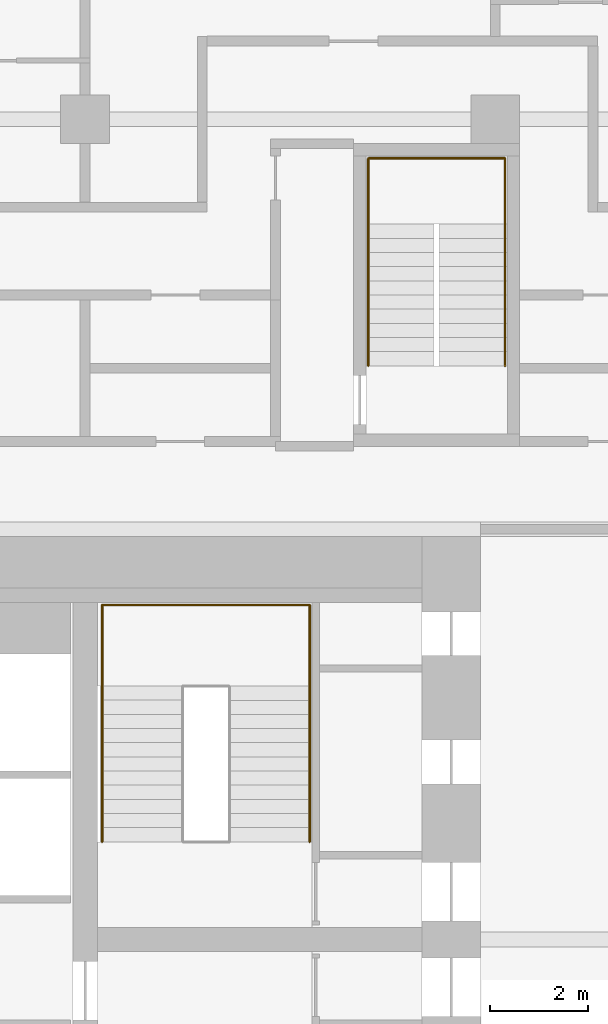
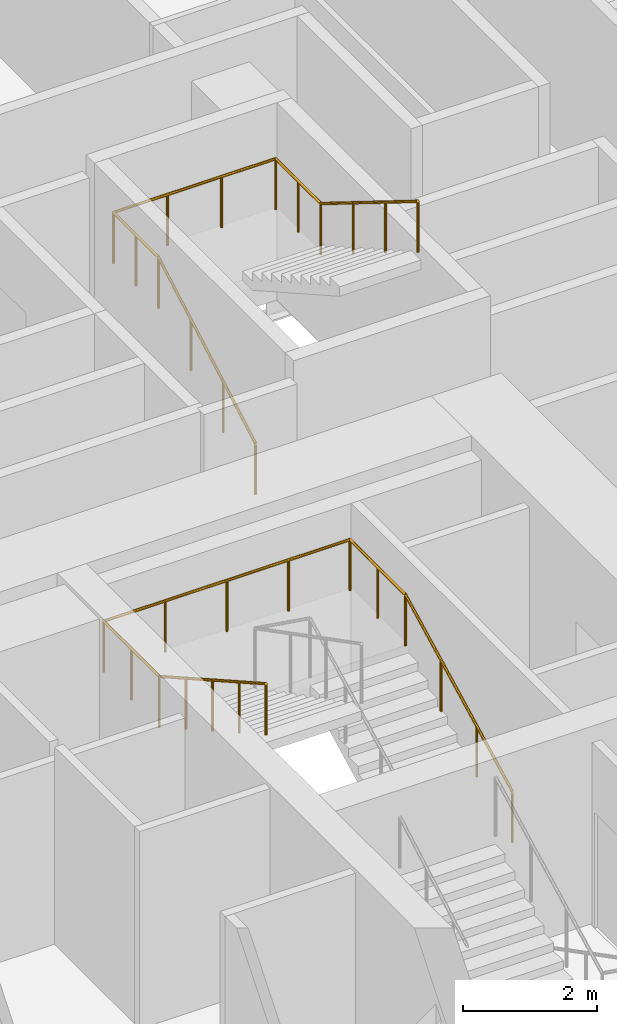
# One storey, part 34 of 34: 2 railings.
"""IFC4 building model written with IfcOpenShell, lengths in metres."""

from ifc_helpers import new_model, si_unit, direction, frame, origin, origin_2d, place, context, subcontext, project, spatial, circle, extrude, material, type_object, element, save


model = new_model("IFC4")

# Units and contexts
model_context = context("Model", 3, precision=1e-05, world=origin(), true_north=direction((0.0, 1.0)))
body_context = subcontext(model_context, "Body", "Model", "MODEL_VIEW")
ifc_project = project(units=[si_unit("LENGTHUNIT", "METRE"), si_unit("AREAUNIT", "SQUARE_METRE"), si_unit("VOLUMEUNIT", "CUBIC_METRE"), si_unit("PLANEANGLEUNIT", "RADIAN"), si_unit("MASSUNIT", "GRAM", prefix="KILO")], contexts=[model_context])

# Site, building, storey
site_placement = place(None, origin())
site = spatial("IfcSite", under=ifc_project, at=site_placement, CompositionType="ELEMENT")
building_placement = place(site_placement, origin())
building = spatial("IfcBuilding", under=site, at=building_placement, Name="Marenta Gate Hotel Tower", CompositionType="ELEMENT")
storey_placement = place(building_placement, frame((0.0, 0.0, 76.10009765625)))
storey = spatial("IfcBuildingStorey", under=building, at=storey_placement, Name="L17", CompositionType="ELEMENT", Elevation=76.10009765625)

# Railings
ifc_material = material(Name="Stainless steel", Category="steel")
railing_type = type_object("IfcRailingType", Name="Core stair handrail 950", PredefinedType="HANDRAIL", material=ifc_material)
railing_1_placement = place(storey_placement, frame((8.800048828125, 10.39990234375, 0.14990234375)))
element("IfcRailing", 1, at=railing_1_placement, inside=storey, type_object=railing_type, Name="HR-950 L17-KR-ST4-1", PredefinedType="HANDRAIL", context=body_context, shape_type="SweptSolid", body=[
    extrude(circle(Radius=0.02392578125, at=origin_2d()), frame((0.0, 0.0, 0.92578125), z_axis=(0.0, 0.888239641807, 0.459380385653), x_axis=(-1.0, 0.0, 0.0)), (0.0, 0.0, 1.0), 3.591552734375),
    extrude(circle(Radius=0.02392578125, at=origin_2d()), frame((0.0, 3.190185546875, 2.57568359375), z_axis=(0.0, 1.0, 0.0), x_axis=(-1.0, 0.0, 0.0)), (0.0, 0.0, 1.0), 1.659912109375),
    extrude(circle(Radius=0.02392578125, at=origin_2d()), frame((0.0, 4.85009765625, 2.57568359375), z_axis=(-1.0, 0.0, 0.0), x_axis=(0.0, -1.0, 0.0)), (0.0, 0.0, 1.0), 4.25),
    extrude(circle(Radius=0.02392578125, at=origin_2d()), frame((-4.25, 4.85009765625, 2.57568359375), z_axis=(0.0, -1.0, 0.0), x_axis=(1.0, 0.0, 0.0)), (0.0, 0.0, 1.0), 1.659912109375),
    extrude(circle(Radius=0.02392578125, at=origin_2d()), frame((-4.25, 3.190185546875, 2.57568359375), z_axis=(0.0, -0.870925075533, 0.491415824742), x_axis=(1.0, 0.0, 0.0)), (0.0, 0.0, 1.0), 3.6630859375),
    extrude(circle(Radius=0.02099609375, at=origin_2d()), origin(), (0.0, 0.0, 1.0), 0.90185546875),
    extrude(circle(Radius=0.02099609375, at=origin_2d()), frame((0.0, 1.0634765625, 0.550048828125)), (0.0, 0.0, 1.0), 0.90185546875),
    extrude(circle(Radius=0.02099609375, at=origin_2d()), frame((0.0, 2.126708984375, 1.099853515625)), (0.0, 0.0, 1.0), 0.90185546875),
    extrude(circle(Radius=0.02099609375, at=origin_2d()), frame((0.0, 3.190185546875, 1.64990234375)), (0.0, 0.0, 1.0), 0.90185546875),
    extrude(circle(Radius=0.02099609375, at=origin_2d()), frame((0.0, 4.02001953125, 1.64990234375)), (0.0, 0.0, 1.0), 0.90185546875),
    extrude(circle(Radius=0.02099609375, at=origin_2d()), frame((0.0, 4.85009765625, 1.64990234375)), (0.0, 0.0, 1.0), 0.90185546875),
    extrude(circle(Radius=0.02099609375, at=origin_2d()), frame((-1.0625, 4.85009765625, 1.64990234375)), (0.0, 0.0, 1.0), 0.90185546875),
    extrude(circle(Radius=0.02099609375, at=origin_2d()), frame((-2.125, 4.85009765625, 1.64990234375)), (0.0, 0.0, 1.0), 0.90185546875),
    extrude(circle(Radius=0.02099609375, at=origin_2d()), frame((-3.1875, 4.85009765625, 1.64990234375)), (0.0, 0.0, 1.0), 0.90185546875),
    extrude(circle(Radius=0.02099609375, at=origin_2d()), frame((-4.25, 4.85009765625, 1.64990234375)), (0.0, 0.0, 1.0), 0.90185546875),
    extrude(circle(Radius=0.02099609375, at=origin_2d()), frame((-4.25, 4.02001953125, 1.64990234375)), (0.0, 0.0, 1.0), 0.90185546875),
    extrude(circle(Radius=0.02099609375, at=origin_2d()), frame((-4.25, 3.190185546875, 1.64990234375)), (0.0, 0.0, 1.0), 0.90185546875),
    extrude(circle(Radius=0.02099609375, at=origin_2d()), frame((-4.25, 2.392578125, 2.099853515625)), (0.0, 0.0, 1.0), 0.90185546875),
    extrude(circle(Radius=0.02099609375, at=origin_2d()), frame((-4.25, 1.59521484375, 2.5498046875)), (0.0, 0.0, 1.0), 0.90185546875),
    extrude(circle(Radius=0.02099609375, at=origin_2d()), frame((-4.25, 0.797607421875, 3.0)), (0.0, 0.0, 1.0), 0.90185546875),
    extrude(circle(Radius=0.02099609375, at=origin_2d()), frame((-4.25, 0.0, 3.449951171875)), (0.0, 0.0, 1.0), 0.90185546875),
])
railing_2_placement = place(storey_placement, frame((10.0, 20.14990234375, 0.16357421875)))
element("IfcRailing", 2, at=railing_2_placement, inside=storey, type_object=railing_type, Name="HR-950 L17-RS-Z1-4-KR-1", PredefinedType="HANDRAIL", context=body_context, shape_type="SweptSolid", body=[
    extrude(circle(Radius=0.02392578125, at=origin_2d()), frame((0.0, 0.0, 0.92578125), z_axis=(0.0, 0.870946286338, 0.49137823142), x_axis=(-1.0, 0.0, 0.0)), (0.0, 0.0, 1.0), 3.329833984375),
    extrude(circle(Radius=0.02392578125, at=origin_2d()), frame((0.0, 2.900146484375, 2.56201171875), z_axis=(0.0, 1.0, 0.0), x_axis=(-1.0, 0.0, 0.0)), (0.0, 0.0, 1.0), 1.349853515625),
    extrude(circle(Radius=0.02392578125, at=origin_2d()), frame((0.0, 4.25, 2.56201171875), z_axis=(1.0, 0.0, 0.0), x_axis=(0.0, 1.0, 0.0)), (0.0, 0.0, 1.0), 2.800048828125),
    extrude(circle(Radius=0.02392578125, at=origin_2d()), frame((2.800048828125, 4.25, 2.56201171875), z_axis=(0.0, -1.0, 0.0), x_axis=(1.0, 0.0, 0.0)), (0.0, 0.0, 1.0), 1.349853515625),
    extrude(circle(Radius=0.02392578125, at=origin_2d()), frame((2.800048828125, 2.900146484375, 2.56201171875), z_axis=(0.0, -0.849645691689, 0.527353959494), x_axis=(1.0, 0.0, 0.0)), (0.0, 0.0, 1.0), 3.413330078125),
    extrude(circle(Radius=0.02099609375, at=origin_2d()), origin(), (0.0, 0.0, 1.0), 0.90185546875),
    extrude(circle(Radius=0.02099609375, at=origin_2d()), frame((0.0, 0.966796875, 0.54541015625)), (0.0, 0.0, 1.0), 0.90185546875),
    extrude(circle(Radius=0.02099609375, at=origin_2d()), frame((0.0, 1.933349609375, 1.0908203125)), (0.0, 0.0, 1.0), 0.90185546875),
    extrude(circle(Radius=0.02099609375, at=origin_2d()), frame((0.0, 2.900146484375, 1.63623046875)), (0.0, 0.0, 1.0), 0.90185546875),
    extrude(circle(Radius=0.02099609375, at=origin_2d()), frame((0.0, 3.5751953125, 1.63623046875)), (0.0, 0.0, 1.0), 0.90185546875),
    extrude(circle(Radius=0.02099609375, at=origin_2d()), frame((0.0, 4.25, 1.63623046875)), (0.0, 0.0, 1.0), 0.90185546875),
    extrude(circle(Radius=0.02099609375, at=origin_2d()), frame((0.933349609375, 4.25, 1.63623046875)), (0.0, 0.0, 1.0), 0.90185546875),
    extrude(circle(Radius=0.02099609375, at=origin_2d()), frame((1.86669921875, 4.25, 1.63623046875)), (0.0, 0.0, 1.0), 0.90185546875),
    extrude(circle(Radius=0.02099609375, at=origin_2d()), frame((2.800048828125, 4.25, 1.63623046875)), (0.0, 0.0, 1.0), 0.90185546875),
    extrude(circle(Radius=0.02099609375, at=origin_2d()), frame((2.800048828125, 3.5751953125, 1.63623046875)), (0.0, 0.0, 1.0), 0.90185546875),
    extrude(circle(Radius=0.02099609375, at=origin_2d()), frame((2.800048828125, 2.900146484375, 1.63623046875)), (0.0, 0.0, 1.0), 0.90185546875),
    extrude(circle(Radius=0.02099609375, at=origin_2d()), frame((2.800048828125, 1.933349609375, 2.236328125)), (0.0, 0.0, 1.0), 0.90185546875),
    extrude(circle(Radius=0.02099609375, at=origin_2d()), frame((2.800048828125, 0.966796875, 2.836181640625)), (0.0, 0.0, 1.0), 0.90185546875),
    extrude(circle(Radius=0.02099609375, at=origin_2d()), frame((2.800048828125, 0.0, 3.436279296875)), (0.0, 0.0, 1.0), 0.90185546875),
])

save(model, "model.ifc")
